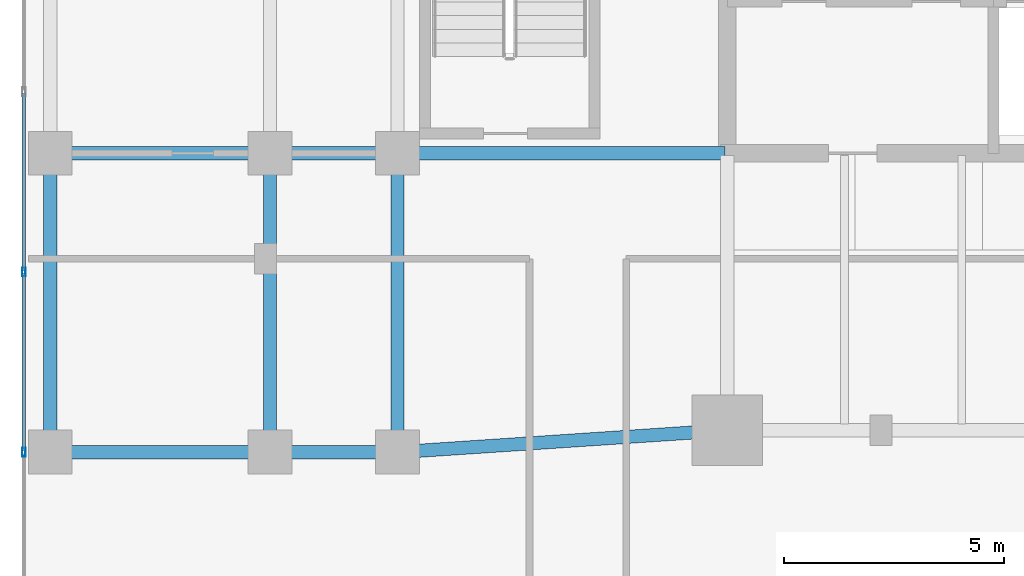
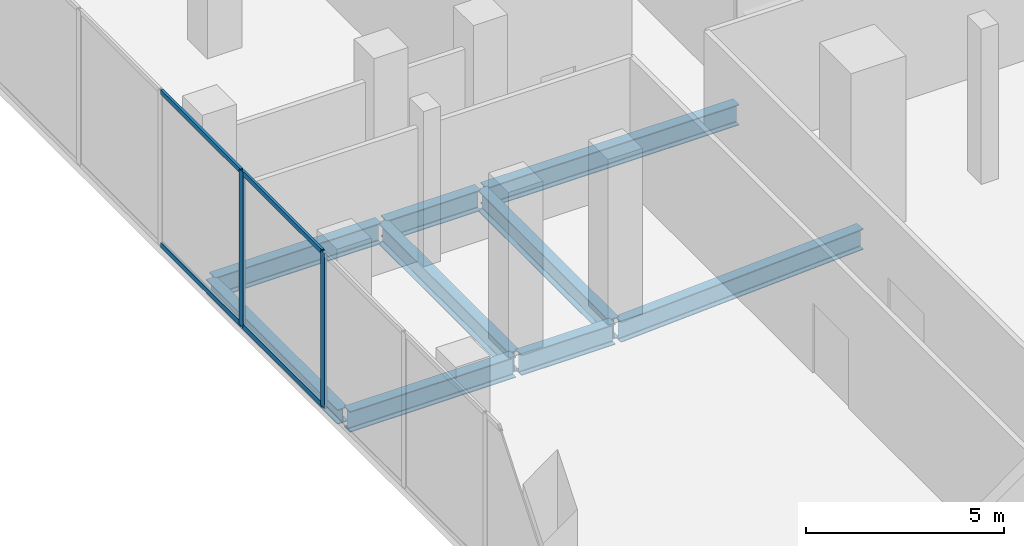
# One storey, part 8 of 24: 9 beams, 6 members, 1 element without a shape of its own.
"""IFC4 building model written with IfcOpenShell, lengths in metres."""

from ifc_helpers import new_model, si_unit, direction, frame, origin, origin_2d, place, context, subcontext, project, spatial, hollow_rectangle, i_section, extrude, material, layer, layer_set, material_profile, profile_set, type_object, element, aggregate, save


model = new_model("IFC4")

# Units and contexts
model_context = context("Model", 3, precision=1e-05, world=origin(), true_north=direction((0.0, 1.0)))
body_context = subcontext(model_context, "Body", "Model", "MODEL_VIEW")
ifc_project = project(units=[si_unit("LENGTHUNIT", "METRE"), si_unit("AREAUNIT", "SQUARE_METRE"), si_unit("VOLUMEUNIT", "CUBIC_METRE"), si_unit("PLANEANGLEUNIT", "RADIAN"), si_unit("MASSUNIT", "GRAM", prefix="KILO")], contexts=[model_context])

# Site, building, storey
site_placement = place(None, origin())
site = spatial("IfcSite", under=ifc_project, at=site_placement, CompositionType="ELEMENT")
building_placement = place(site_placement, origin())
building = spatial("IfcBuilding", under=site, at=building_placement, Name="Catumbela Crestline Tower", CompositionType="ELEMENT")
storey_placement = place(building_placement, frame((0.0, 0.0, 6.0)))
storey = spatial("IfcBuildingStorey", under=building, at=storey_placement, Name="L01", CompositionType="ELEMENT", Elevation=6.0)

# Beams
ifc_material_1 = material(Name="Structural steel S355J2", Category="steel")
ifc_material_profile_1 = material_profile(ifc_material_1, i_section(OverallWidth=0.3, OverallDepth=0.64, WebThickness=0.0135, FlangeThickness=0.026, FilletRadius=0.027, at=origin_2d()), Name="HEA 650")
ifc_profile_set_1 = profile_set([ifc_material_profile_1], Name="Structural steel S355J2")
beam_type_1 = type_object("IfcBeamType", Name="BG-HEA650", PredefinedType="BEAM", material=ifc_profile_set_1)
beam_1_placement = place(storey_placement, frame((0.68, 24.0, -0.64), z_axis=(1.0, 0.0, 0.0), x_axis=(0.0, 1.0, 0.0)))
element("IfcBeam", 1, at=beam_1_placement, inside=storey, type_object=beam_type_1, Name="L01 Beam BM-L01-S01", PredefinedType="BEAM", context=body_context, shape_type="SweptSolid", body=[
    extrude(i_section(OverallWidth=0.3, OverallDepth=0.64, WebThickness=0.0135, FlangeThickness=0.026, FilletRadius=0.027, at=origin_2d()), origin(), (0.0, 0.0, 1.0), 4.84),
])
beam_2_placement = place(storey_placement, frame((5.68, 24.0, -0.64), z_axis=(1.0, 0.0, 0.0), x_axis=(0.0, 1.0, 0.0)))
element("IfcBeam", 2, at=beam_2_placement, inside=storey, type_object=beam_type_1, Name="L01 Beam BM-L01-S02", PredefinedType="BEAM", context=body_context, shape_type="SweptSolid", body=[
    extrude(i_section(OverallWidth=0.3, OverallDepth=0.64, WebThickness=0.0135, FlangeThickness=0.026, FilletRadius=0.027, at=origin_2d()), origin(), (0.0, 0.0, 1.0), 2.74),
])
beam_3_placement = place(storey_placement, frame((8.5798, 24.0053, -0.64), z_axis=(0.997784796964, 0.066524423687, 0.0), x_axis=(-0.066524423687, 0.997784796964, 0.0)))
element("IfcBeam", 3, at=beam_3_placement, inside=storey, type_object=beam_type_1, Name="L01 Beam BM-L01-S03", PredefinedType="BEAM", context=body_context, shape_type="SweptSolid", body=[
    extrude(i_section(OverallWidth=0.3, OverallDepth=0.64, WebThickness=0.0135, FlangeThickness=0.026, FilletRadius=0.027, at=origin_2d()), origin(), (0.0, 0.0, 1.0), 7.3567),
])
beam_4_placement = place(storey_placement, frame((0.68, 30.8, -0.64), z_axis=(1.0, 0.0, 0.0), x_axis=(0.0, 1.0, 0.0)))
element("IfcBeam", 4, at=beam_4_placement, inside=storey, type_object=beam_type_1, Name="L01 Beam BM-L01-M07", PredefinedType="BEAM", context=body_context, shape_type="SweptSolid", body=[
    extrude(i_section(OverallWidth=0.3, OverallDepth=0.64, WebThickness=0.0135, FlangeThickness=0.026, FilletRadius=0.027, at=origin_2d()), origin(), (0.0, 0.0, 1.0), 4.84),
])
beam_5_placement = place(storey_placement, frame((5.68, 30.8, -0.64), z_axis=(1.0, 0.0, 0.0), x_axis=(0.0, 1.0, 0.0)))
element("IfcBeam", 5, at=beam_5_placement, inside=storey, type_object=beam_type_1, Name="L01 Beam BM-L01-M08", PredefinedType="BEAM", context=body_context, shape_type="SweptSolid", body=[
    extrude(i_section(OverallWidth=0.3, OverallDepth=0.64, WebThickness=0.0135, FlangeThickness=0.026, FilletRadius=0.027, at=origin_2d()), origin(), (0.0, 0.0, 1.0), 2.74),
])
beam_6_placement = place(storey_placement, frame((8.58, 30.8, -0.64), z_axis=(1.0, 0.0, 0.0), x_axis=(0.0, 1.0, 0.0)))
element("IfcBeam", 6, at=beam_6_placement, inside=storey, type_object=beam_type_1, Name="L01 Beam BM-L01-M09", PredefinedType="BEAM", context=body_context, shape_type="SweptSolid", body=[
    extrude(i_section(OverallWidth=0.3, OverallDepth=0.64, WebThickness=0.0135, FlangeThickness=0.026, FilletRadius=0.027, at=origin_2d()), origin(), (0.0, 0.0, 1.0), 7.37),
])
for number, where, z_axis, x_axis, name in (
    (7, (5.6, 24.08, -0.64), (0.0, 1.0, 0.0), (-1.0, 0.0, 0.0), "L01 Beam BM-L01-SN25"),
    (8, (8.5, 24.08, -0.64), (0.0, 1.0, 0.0), (-1.0, 0.0, 0.0), "L01 Beam BM-L01-SN27"),
):
    element("IfcBeam", number, at=place(storey_placement, frame(where, z_axis=z_axis, x_axis=x_axis)), inside=storey, type_object=beam_type_1, Name=name, PredefinedType="BEAM", context=body_context, shape_type="SweptSolid", body=[
        extrude(i_section(OverallWidth=0.3, OverallDepth=0.64, WebThickness=0.0135, FlangeThickness=0.026, FilletRadius=0.027, at=origin_2d()), origin(), (0.0, 0.0, 1.0), 6.64),
    ])

# Curtain wall, members
ifc_material_2 = material(Name="Aluminium alloy AW-6060-T66", Category="aluminium")
ifc_layer = layer(ifc_material_2, 0.18, Name="Aluminium alloy AW-6060-T66")
ifc_layer_set = layer_set([ifc_layer], Name="Aluminium alloy AW-6060-T66")
curtain_wall_type = type_object("IfcCurtainWallType", Name="CWS-POD", PredefinedType="USERDEFINED", material=ifc_layer_set)
curtain_wall_placement = place(storey_placement, origin())
curtain_wall = element("IfcCurtainWall", 9, at=curtain_wall_placement, inside=storey, type_object=curtain_wall_type, Name="L01 Stick Curtain Wall CW-L01-E9S1", ObjectType="STICK", PredefinedType="USERDEFINED")
ifc_material_profile_2 = material_profile(ifc_material_2, hollow_rectangle(XDim=0.075, YDim=0.2, WallThickness=0.005, at=origin_2d()), Name="ALU 200x75x5")
ifc_profile_set_2 = profile_set([ifc_material_profile_2], Name="Aluminium alloy AW-6060-T66")
member_type_1 = type_object("IfcMemberType", Name="MUL-200X75", PredefinedType="MULLION", material=ifc_profile_set_2)
member_1_placement = place(storey_placement, frame((0.0, 28.1, 0.0), z_axis=(0.0, 0.0, 1.0), x_axis=(1.0, 0.0, 0.0)))
member_1 = element("IfcMember", 10, at=member_1_placement, type_object=member_type_1, Name="CWS-POD mullion 5", PredefinedType="MULLION", context=body_context, shape_type="SweptSolid", body=[
    extrude(hollow_rectangle(XDim=0.075, YDim=0.2, WallThickness=0.005, at=origin_2d()), origin(), (0.0, 0.0, 1.0), 4.77),
])
member_2_placement = place(storey_placement, frame((0.0, 24.0, 0.0), z_axis=(0.0, 0.0, 1.0), x_axis=(1.0, 0.0, 0.0)))
member_2 = element("IfcMember", 11, at=member_2_placement, type_object=member_type_1, Name="CWS-POD mullion 6", PredefinedType="MULLION", context=body_context, shape_type="SweptSolid", body=[
    extrude(hollow_rectangle(XDim=0.075, YDim=0.2, WallThickness=0.005, at=origin_2d()), origin(), (0.0, 0.0, 1.0), 4.77),
])

# Beam
ifc_material_profile_3 = material_profile(ifc_material_1, i_section(OverallWidth=0.3, OverallDepth=0.45, WebThickness=0.014, FlangeThickness=0.026, FilletRadius=0.027, at=origin_2d()), Name="HEB 450")
ifc_profile_set_3 = profile_set([ifc_material_profile_3], Name="Structural steel S355J2")
beam_type_2 = type_object("IfcBeamType", Name="BS-HEB450", PredefinedType="SPANDREL", material=ifc_profile_set_3)
beam_7_placement = place(storey_placement, frame((0.6, 24.08, -0.545), z_axis=(0.0, 1.0, 0.0), x_axis=(-1.0, 0.0, 0.0)))
element("IfcBeam", 12, at=beam_7_placement, inside=storey, type_object=beam_type_2, Name="L01 Spandrel SP-L01-SN23", PredefinedType="SPANDREL", context=body_context, shape_type="SweptSolid", body=[
    extrude(i_section(OverallWidth=0.3, OverallDepth=0.45, WebThickness=0.014, FlangeThickness=0.026, FilletRadius=0.027, at=origin_2d()), origin(), (0.0, 0.0, 1.0), 6.64),
])

# Member
ifc_material_profile_4 = material_profile(ifc_material_2, hollow_rectangle(XDim=0.075, YDim=0.15, WallThickness=0.0045, at=origin_2d()), Name="ALU 150x75x4.5")
ifc_profile_set_4 = profile_set([ifc_material_profile_4], Name="Aluminium alloy AW-6060-T66")
member_type_2 = type_object("IfcMemberType", Name="TRN-150X75", PredefinedType="USERDEFINED", material=ifc_profile_set_4)
member_3_placement = place(storey_placement, frame((0.0, 32.1675, 0.03), z_axis=(0.0, -1.0, 0.0), x_axis=(1.0, 0.0, 0.0)))
member_3 = element("IfcMember", 13, at=member_3_placement, type_object=member_type_2, Name="CWS-POD transom 4.1", ObjectType="TRANSOM", PredefinedType="USERDEFINED", context=body_context, shape_type="SweptSolid", body=[
    extrude(hollow_rectangle(XDim=0.075, YDim=0.15, WallThickness=0.0045, at=origin_2d()), origin(), (0.0, 0.0, 1.0), 4.035),
])

member_4_placement = place(storey_placement, frame((0.0, 32.1675, 4.74), z_axis=(0.0, -1.0, 0.0), x_axis=(1.0, 0.0, 0.0)))
member_4 = element("IfcMember", 14, at=member_4_placement, type_object=member_type_2, Name="CWS-POD transom 4.2", ObjectType="TRANSOM", PredefinedType="USERDEFINED", context=body_context, shape_type="SweptSolid", body=[
    extrude(hollow_rectangle(XDim=0.075, YDim=0.15, WallThickness=0.0045, at=origin_2d()), origin(), (0.0, 0.0, 1.0), 4.035),
])

member_5_placement = place(storey_placement, frame((0.0, 28.0675, 0.03), z_axis=(0.0, -1.0, 0.0), x_axis=(1.0, 0.0, 0.0)))
member_5 = element("IfcMember", 15, at=member_5_placement, type_object=member_type_2, Name="CWS-POD transom 5.1", ObjectType="TRANSOM", PredefinedType="USERDEFINED", context=body_context, shape_type="SweptSolid", body=[
    extrude(hollow_rectangle(XDim=0.075, YDim=0.15, WallThickness=0.0045, at=origin_2d()), origin(), (0.0, 0.0, 1.0), 4.035),
])

member_6_placement = place(storey_placement, frame((0.0, 28.0675, 4.74), z_axis=(0.0, -1.0, 0.0), x_axis=(1.0, 0.0, 0.0)))
member_6 = element("IfcMember", 16, at=member_6_placement, type_object=member_type_2, Name="CWS-POD transom 5.2", ObjectType="TRANSOM", PredefinedType="USERDEFINED", context=body_context, shape_type="SweptSolid", body=[
    extrude(hollow_rectangle(XDim=0.075, YDim=0.15, WallThickness=0.0045, at=origin_2d()), origin(), (0.0, 0.0, 1.0), 4.035),
])

aggregate(curtain_wall, [member_1, member_2, member_3, member_4, member_5, member_6])

save(model, "model.ifc")
